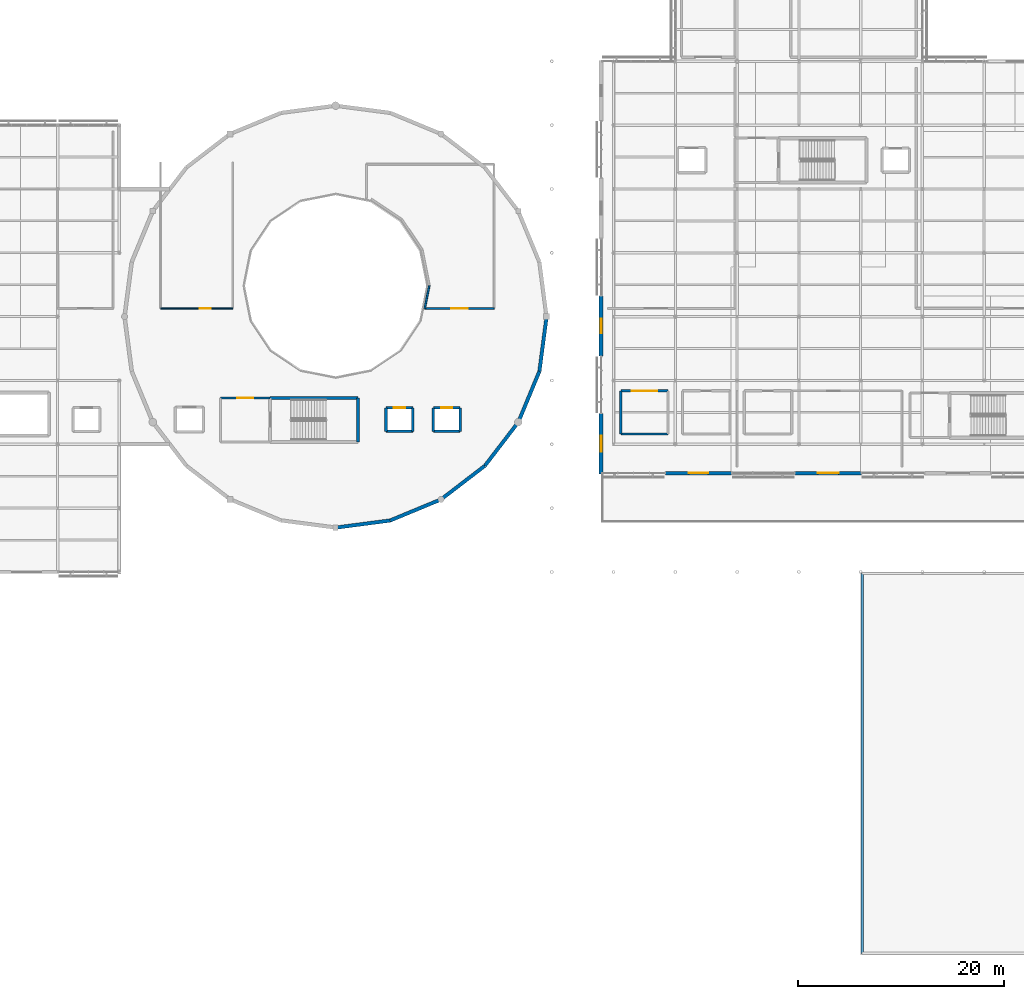
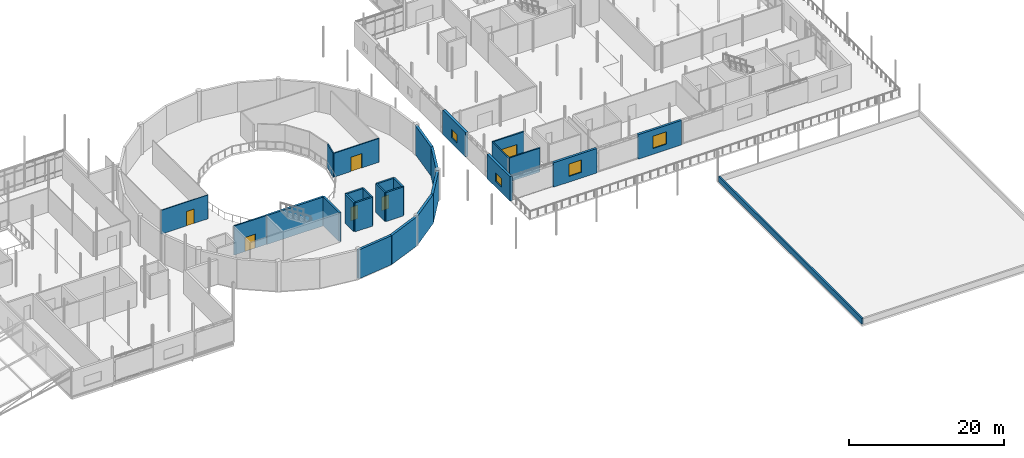
# One storey, part 45 of 66: 28 walls, 6 doors, 4 windows, 10 openings.
"""IFC4 building model written with IfcOpenShell, lengths in metres."""

from ifc_helpers import new_model, si_unit, direction, frame, frame_2d, origin, place, context, subcontext, project, spatial, rectangle, extrude, material, layer, layer_set, type_object, element, fill, save


model = new_model("IFC4")

# Units and contexts
model_context = context("Model", 3, precision=1e-05, world=origin(), true_north=direction((0.0, 1.0)))
body_context = subcontext(model_context, "Body", "Model", "MODEL_VIEW")
ifc_project = project(units=[si_unit("LENGTHUNIT", "METRE"), si_unit("AREAUNIT", "SQUARE_METRE"), si_unit("VOLUMEUNIT", "CUBIC_METRE"), si_unit("PLANEANGLEUNIT", "RADIAN"), si_unit("MASSUNIT", "GRAM", prefix="KILO")], contexts=[model_context])

# Site, building, storey
site_placement = place(None, origin())
site = spatial("IfcSite", under=ifc_project, at=site_placement, CompositionType="ELEMENT")
building_placement = place(site_placement, origin())
building = spatial("IfcBuilding", under=site, at=building_placement, Name="Mirzam Square Science Centre", CompositionType="ELEMENT")
storey_placement = place(building_placement, frame((0.0, 0.0, 15.60009765625)))
storey = spatial("IfcBuildingStorey", under=building, at=storey_placement, Name="L03", CompositionType="ELEMENT", Elevation=15.60009765625)

# Walls
ifc_material_1 = material(Name="Concrete C45/55", Category="concrete")
ifc_layer_1 = layer(ifc_material_1, 0.300048828125)
ifc_layer_set_1 = layer_set([ifc_layer_1], Name="W-CORE-300")
wall_type_1 = type_object("IfcWallType", Name="W-CORE-300", PredefinedType="SHEAR", material=ifc_layer_set_1)
wall_1_placement = place(storey_placement, frame((83.159912109375, 54.090087890625, 0.0), z_axis=(0.0, 0.0, 1.0), x_axis=(-1.0, 0.0, 0.0)))
element("IfcWall", 1, at=wall_1_placement, inside=storey, type_object=wall_type_1, Name="L03 CORE-3 north wall", PredefinedType="SHEAR", context=body_context, shape_type="SweptSolid", body=[
    extrude(rectangle(XDim=8.52001953125, YDim=0.300048828125, at=frame_2d((4.260009765625, 0.0))), origin(), (0.0, 0.0, 1.0), 4.5498046875),
])
wall_2_placement = place(storey_placement, frame((83.159912109375, 49.840087890625, 0.0), z_axis=(0.0, 0.0, 1.0), x_axis=(0.0, 1.0, 0.0)))
element("IfcWall", 2, at=wall_2_placement, inside=storey, type_object=wall_type_1, Name="L03 CORE-3 east wall", PredefinedType="SHEAR", context=body_context, shape_type="SweptSolid", body=[
    extrude(rectangle(XDim=4.25, YDim=0.300048828125, at=frame_2d((2.125, 0.0))), origin(), (0.0, 0.0, 1.0), 4.5498046875),
])
ifc_layer_2 = layer(ifc_material_1, 0.35009765625)
ifc_layer_set_2 = layer_set([ifc_layer_2], Name="W-DRUM-350")
wall_type_2 = type_object("IfcWallType", Name="W-DRUM-350", PredefinedType="SHEAR", material=ifc_layer_set_2)
wall_3_placement = place(storey_placement, frame((81.0, 41.5, 0.0), z_axis=(0.0, 0.0, 1.0), x_axis=(0.991446064069, 0.130517056518, 0.0)))
element("IfcWall", 3, at=wall_3_placement, inside=storey, type_object=wall_type_2, Name="L03 planetarium drum wall 19", PredefinedType="SHEAR", context=body_context, shape_type="SweptSolid", body=[
    extrude(rectangle(XDim=5.351806640625, YDim=0.35009765625, at=frame_2d((2.67578125, 0.0))), origin(), (0.0, 0.0, 1.0), 4.5498046875),
])
for number, where, z_axis, x_axis, name in (
    (4, (86.305908203125, 42.198486328125, 0.0), (0.0, 0.0, 1.0), (0.923867255172, 0.382713071139, 0.0), "L03 planetarium drum wall 20"),
    (5, (91.25, 44.24658203125, 0.0), (0.0, 0.0, 1.0), (0.793349293227, 0.60876670321, 0.0), "L03 planetarium drum wall 21"),
    (6, (95.49560546875, 47.50439453125, 0.0), (0.0, 0.0, 1.0), (0.60876670321, 0.793349293227, 0.0), "L03 planetarium drum wall 22"),
    (7, (98.75341796875, 51.75, 0.0), (0.0, 0.0, 1.0), (0.382713071139, 0.923867255172, 0.0), "L03 planetarium drum wall 23"),
):
    element("IfcWall", number, at=place(storey_placement, frame(where, z_axis=z_axis, x_axis=x_axis)), inside=storey, type_object=wall_type_2, Name=name, PredefinedType="SHEAR", context=body_context, shape_type="SweptSolid", body=[
        extrude(rectangle(XDim=5.3515625, YDim=0.35009765625, at=frame_2d((2.67578125, 0.0))), origin(), (0.0, 0.0, 1.0), 4.5498046875),
    ])
wall_4_placement = place(storey_placement, frame((100.801513671875, 56.694091796875, 0.0), z_axis=(0.0, 0.0, 1.0), x_axis=(0.130517056518, 0.991446064069, 0.0)))
element("IfcWall", 8, at=wall_4_placement, inside=storey, type_object=wall_type_2, Name="L03 planetarium drum wall 24", PredefinedType="SHEAR", context=body_context, shape_type="SweptSolid", body=[
    extrude(rectangle(XDim=5.351806640625, YDim=0.35009765625, at=frame_2d((2.67578125, 0.0))), origin(), (0.0, 0.0, 1.0), 4.5498046875),
])

# Wall, opening, window
ifc_material_2 = material(Name="Insulated Sand-Toned GFRC Concrete C40/50", Category="concrete")
ifc_layer_3 = layer(ifc_material_2, 0.340087890625)
ifc_layer_set_3 = layer_set([ifc_layer_3], Name="W-EXT-GFRC-340")
wall_type_3 = type_object("IfcWallType", Name="W-EXT-GFRC-340", PredefinedType="SOLIDWALL", material=ifc_layer_set_3)
wall_5_placement = place(storey_placement, frame((113.02490234375, 46.800048828125, 0.0), z_axis=(0.0, 0.0, 1.0), x_axis=(1.0, 0.0, 0.0)))
wall_5 = element("IfcWall", 9, at=wall_5_placement, inside=storey, type_object=wall_type_3, Name="L03 external wall EW-EST-S-L03-02", PredefinedType="SOLIDWALL", context=body_context, shape_type="SweptSolid", body=[
    extrude(rectangle(XDim=6.4501953125, YDim=0.340087890625, at=frame_2d((3.22509765625, 0.0))), origin(), (0.0, 0.0, 1.0), 3.83984375),
])
opening_1_placement = place(wall_5_placement, frame((2.300048828125, 0.0, 0.89990234375)))
opening_1 = element("IfcOpeningElement", 10, at=opening_1_placement, cuts=wall_5, Name="Opening W-39", PredefinedType="OPENING", context=body_context, shape_type="SweptSolid", body=[
    extrude(rectangle(XDim=1.85009765625, YDim=1.949951171875, at=frame_2d((0.925048828125, 0.97509765625))), frame((0.0, 0.179931640625, 0.0), z_axis=(0.0, -1.0, 0.0), x_axis=(1.0, 0.0, 0.0)), (0.0, 0.0, 1.0), 0.360107421875),
])
ifc_material_3 = material(Name="Thermally Broken Bronze Aluminium and Low-E Glass", Category="aluminium")
window_type_1 = type_object("IfcWindowType", Name="WIN-1850x1950", PartitioningType="DOUBLE_PANEL_VERTICAL", PredefinedType="WINDOW", material=ifc_material_3)
window_1_placement = place(opening_1_placement, origin())
window_1 = element("IfcWindow", 11, at=window_1_placement, inside=storey, type_object=window_type_1, Name="L03 solar window 083", OverallHeight=1.949951171875, OverallWidth=1.85009765625, PartitioningType="DOUBLE_PANEL_VERTICAL", PredefinedType="WINDOW", context=body_context, shape_type="SweptSolid", body=[
    extrude(rectangle(XDim=1.85009765625, YDim=1.949951171875, at=frame_2d((0.925048828125, 0.97509765625))), frame((0.0, 0.030029296875, 0.0), z_axis=(0.0, -1.0, 0.0), x_axis=(1.0, 0.0, 0.0)), (0.0, 0.0, 1.0), 0.06005859375),
])
fill(opening_1, window_1)

wall_6_placement = place(storey_placement, frame((125.625, 46.800048828125, 0.0), z_axis=(0.0, 0.0, 1.0), x_axis=(1.0, 0.0, 0.0)))
wall_6 = element("IfcWall", 12, at=wall_6_placement, inside=storey, type_object=wall_type_3, Name="L03 external wall EW-EST-S-L03-04", PredefinedType="SOLIDWALL", context=body_context, shape_type="SweptSolid", body=[
    extrude(rectangle(XDim=6.449951171875, YDim=0.340087890625, at=frame_2d((3.22509765625, 0.0))), origin(), (0.0, 0.0, 1.0), 3.83984375),
])
opening_2_placement = place(wall_6_placement, frame((2.22509765625, 0.0, 0.89990234375)))
opening_2 = element("IfcOpeningElement", 13, at=opening_2_placement, cuts=wall_6, Name="Opening W-40", PredefinedType="OPENING", context=body_context, shape_type="SweptSolid", body=[
    extrude(rectangle(XDim=2.0, YDim=1.949951171875, at=frame_2d((1.0, 0.97509765625))), frame((0.0, 0.179931640625, 0.0), z_axis=(0.0, -1.0, 0.0), x_axis=(1.0, 0.0, 0.0)), (0.0, 0.0, 1.0), 0.360107421875),
])
window_type_2 = type_object("IfcWindowType", Name="WIN-2000x1950", PartitioningType="DOUBLE_PANEL_VERTICAL", PredefinedType="WINDOW", material=ifc_material_3)
window_2_placement = place(opening_2_placement, origin())
window_2 = element("IfcWindow", 14, at=window_2_placement, inside=storey, type_object=window_type_2, Name="L03 solar window 084", OverallHeight=1.949951171875, OverallWidth=2.0, PartitioningType="DOUBLE_PANEL_VERTICAL", PredefinedType="WINDOW", context=body_context, shape_type="SweptSolid", body=[
    extrude(rectangle(XDim=2.0, YDim=1.949951171875, at=frame_2d((1.0, 0.97509765625))), frame((0.0, 0.030029296875, 0.0), z_axis=(0.0, -1.0, 0.0), x_axis=(1.0, 0.0, 0.0)), (0.0, 0.0, 1.0), 0.06005859375),
])
fill(opening_2, window_2)

ifc_layer_4 = layer(ifc_material_2, 0.385009765625)
ifc_layer_set_4 = layer_set([ifc_layer_4], Name="W-EXT-GFRC-385")
wall_type_4 = type_object("IfcWallType", Name="W-EXT-GFRC-385", PredefinedType="SOLIDWALL", material=ifc_layer_set_4)
wall_7_placement = place(storey_placement, frame((106.800048828125, 64.017822265625, 0.0), z_axis=(0.0, 0.0, 1.0), x_axis=(0.0, -1.0, 0.0)))
wall_7 = element("IfcWall", 15, at=wall_7_placement, inside=storey, type_object=wall_type_4, Name="L03 external wall EW-EST-W-L03-05", PredefinedType="SOLIDWALL", context=body_context, shape_type="SweptSolid", body=[
    extrude(rectangle(XDim=5.8642578125, YDim=0.385009765625, at=frame_2d((2.93212890625, 0.0))), origin(), (0.0, 0.0, 1.0), 3.83984375),
])
opening_3_placement = place(wall_7_placement, frame((2.232177734375, 0.0, 0.89990234375)))
opening_3 = element("IfcOpeningElement", 16, at=opening_3_placement, cuts=wall_7, Name="Opening W-03", PredefinedType="OPENING", context=body_context, shape_type="SweptSolid", body=[
    extrude(rectangle(XDim=1.39990234375, YDim=1.300048828125, at=frame_2d((0.699951171875, 0.64990234375))), frame((0.0, 0.202392578125, 0.0), z_axis=(0.0, -1.0, 0.0), x_axis=(1.0, 0.0, 0.0)), (0.0, 0.0, 1.0), 0.405029296875),
])
window_type_3 = type_object("IfcWindowType", Name="WIN-1400x1300", PartitioningType="SINGLE_PANEL", PredefinedType="WINDOW", material=ifc_material_3)
window_3_placement = place(opening_3_placement, origin())
window_3 = element("IfcWindow", 17, at=window_3_placement, inside=storey, type_object=window_type_3, Name="L03 solar window 091", OverallHeight=1.300048828125, OverallWidth=1.39990234375, PartitioningType="SINGLE_PANEL", PredefinedType="WINDOW", context=body_context, shape_type="SweptSolid", body=[
    extrude(rectangle(XDim=1.39990234375, YDim=1.300048828125, at=frame_2d((0.699951171875, 0.64990234375))), frame((0.0, 0.030029296875, 0.0), z_axis=(0.0, -1.0, 0.0), x_axis=(1.0, 0.0, 0.0)), (0.0, 0.0, 1.0), 0.06005859375),
])
fill(opening_3, window_3)

wall_8_placement = place(storey_placement, frame((106.800048828125, 52.58935546875, 0.0), z_axis=(0.0, 0.0, 1.0), x_axis=(0.0, -1.0, 0.0)))
wall_8 = element("IfcWall", 18, at=wall_8_placement, inside=storey, type_object=wall_type_4, Name="L03 external wall EW-EST-W-L03-07", PredefinedType="SOLIDWALL", context=body_context, shape_type="SweptSolid", body=[
    extrude(rectangle(XDim=5.8642578125, YDim=0.385009765625, at=frame_2d((2.93212890625, 0.0))), origin(), (0.0, 0.0, 1.0), 3.83984375),
])
opening_4_placement = place(wall_8_placement, frame((2.1572265625, 0.0, 0.89990234375)))
opening_4 = element("IfcOpeningElement", 19, at=opening_4_placement, cuts=wall_8, Name="Opening W-04", PredefinedType="OPENING", context=body_context, shape_type="SweptSolid", body=[
    extrude(rectangle(XDim=1.550048828125, YDim=1.300048828125, at=frame_2d((0.77490234375, 0.64990234375))), frame((0.0, 0.202392578125, 0.0), z_axis=(0.0, -1.0, 0.0), x_axis=(1.0, 0.0, 0.0)), (0.0, 0.0, 1.0), 0.405029296875),
])
window_type_4 = type_object("IfcWindowType", Name="WIN-1550x1300", PartitioningType="SINGLE_PANEL", PredefinedType="WINDOW", material=ifc_material_3)
window_4_placement = place(opening_4_placement, origin())
window_4 = element("IfcWindow", 20, at=window_4_placement, inside=storey, type_object=window_type_4, Name="L03 solar window 092", OverallHeight=1.300048828125, OverallWidth=1.550048828125, PartitioningType="SINGLE_PANEL", PredefinedType="WINDOW", context=body_context, shape_type="SweptSolid", body=[
    extrude(rectangle(XDim=1.550048828125, YDim=1.300048828125, at=frame_2d((0.77490234375, 0.64990234375))), frame((0.0, 0.030029296875, 0.0), z_axis=(0.0, -1.0, 0.0), x_axis=(1.0, 0.0, 0.0)), (0.0, 0.0, 1.0), 0.06005859375),
])
fill(opening_4, window_4)

# Wall, opening, door
ifc_layer_5 = layer(ifc_material_1, 0.199951171875)
ifc_layer_set_5 = layer_set([ifc_layer_5], Name="W-LOBBY-200")
wall_type_5 = type_object("IfcWallType", Name="W-LOBBY-200", PredefinedType="SHEAR", material=ifc_layer_set_5)
wall_9_placement = place(storey_placement, frame((74.639892578125, 54.090087890625, 0.0), z_axis=(0.0, 0.0, 1.0), x_axis=(-1.0, 0.0, 0.0)))
wall_9 = element("IfcWall", 21, at=wall_9_placement, inside=storey, type_object=wall_type_5, Name="L03 CORE-3 lobby north wall", PredefinedType="SHEAR", context=body_context, shape_type="SweptSolid", body=[
    extrude(rectangle(XDim=4.83984375, YDim=0.199951171875, at=frame_2d((2.419921875, 0.0))), origin(), (0.0, 0.0, 1.0), 4.5498046875),
])
opening_5_placement = place(wall_9_placement, frame((1.64501953125, 0.0, 0.0)))
opening_5 = element("IfcOpeningElement", 22, at=opening_5_placement, cuts=wall_9, Name="Opening DL-01", PredefinedType="OPENING", context=body_context, shape_type="SweptSolid", body=[
    extrude(rectangle(XDim=1.550048828125, YDim=2.199951171875, at=frame_2d((0.77490234375, 1.10009765625))), frame((0.0, 0.10986328125, 0.0), z_axis=(0.0, -1.0, 0.0), x_axis=(1.0, 0.0, 0.0)), (0.0, 0.0, 1.0), 0.219970703125),
])
ifc_material_4 = material(Name="Fire-Rated Glazed Architectural Steel Lobby Door", Category="steel")
door_type_1 = type_object("IfcDoorType", Name="DR-LOBBY-1550x2200", OperationType="DOUBLE_DOOR_SINGLE_SWING", PredefinedType="DOOR", material=ifc_material_4)
door_1_placement = place(opening_5_placement, origin())
door_1 = element("IfcDoor", 23, at=door_1_placement, inside=storey, type_object=door_type_1, Name="DRL-3-L03", OperationType="SINGLE_SWING_LEFT", OverallHeight=2.199951171875, OverallWidth=1.550048828125, PredefinedType="DOOR", context=body_context, shape_type="SweptSolid", body=[
    extrude(rectangle(XDim=1.550048828125, YDim=2.199951171875, at=frame_2d((0.77490234375, 1.10009765625))), frame((0.0, 0.02490234375, 0.0), z_axis=(0.0, -1.0, 0.0), x_axis=(1.0, 0.0, 0.0)), (0.0, 0.0, 1.0), 0.050048828125),
])
fill(opening_5, door_1)

# Wall
ifc_material_5 = material(Name="Limestone Coping Parapet Concrete C40/50", Category="masonry")
ifc_layer_6 = layer(ifc_material_5, 0.239990234375)
ifc_layer_set_6 = layer_set([ifc_layer_6], Name="W-PARAPET-240")
wall_type_6 = type_object("IfcWallType", Name="W-PARAPET-240", PredefinedType="PARAPET", material=ifc_layer_set_6)
wall_10_placement = place(storey_placement, frame((132.14990234375, 37.050048828125, 0.0), z_axis=(0.0, 0.0, 1.0), x_axis=(0.0, -1.0, 0.0)))
element("IfcWall", 24, at=wall_10_placement, inside=storey, type_object=wall_type_6, Name="SE-ROOF perimeter parapet 4", PredefinedType="PARAPET", context=body_context, shape_type="SweptSolid", body=[
    extrude(rectangle(XDim=36.900146484375, YDim=0.239990234375, at=frame_2d((18.4501953125, 0.0))), origin(), (0.0, 0.0, 1.0), 0.89990234375),
])

# Wall, opening, door
ifc_material_6 = material(Name="Acoustic Gypsum Stud Partition", Category="gypsum")
ifc_layer_7 = layer(ifc_material_6, 0.1201171875)
ifc_layer_set_7 = layer_set([ifc_layer_7], Name="W-PART-120")
wall_type_7 = type_object("IfcWallType", Name="W-PART-120", PredefinedType="PARTITIONING", material=ifc_layer_set_7)
wall_11_placement = place(storey_placement, frame((71.0, 62.800048828125, 0.0), z_axis=(0.0, 0.0, 1.0), x_axis=(-1.0, 0.0, 0.0)))
wall_11 = element("IfcWall", 25, at=wall_11_placement, inside=storey, type_object=wall_type_7, Name="L03 Orbital Mechanics Exhibition Ring Gallery partition 230", PredefinedType="PARTITIONING", context=body_context, shape_type="SweptSolid", body=[
    extrude(rectangle(XDim=7.0, YDim=0.1201171875, at=frame_2d((3.5, 0.0))), origin(), (0.0, 0.0, 1.0), 3.75),
])
opening_6_placement = place(wall_11_placement, frame((2.110107421875, 0.0, 0.0)))
opening_6 = element("IfcOpeningElement", 26, at=opening_6_placement, cuts=wall_11, Name="Opening D-17", PredefinedType="OPENING", context=body_context, shape_type="SweptSolid", body=[
    extrude(rectangle(XDim=1.10009765625, YDim=2.25, at=frame_2d((0.550048828125, 1.125))), frame((0.0, 0.070068359375, 0.0), z_axis=(0.0, -1.0, 0.0), x_axis=(1.0, 0.0, 0.0)), (0.0, 0.0, 1.0), 0.14013671875),
])
ifc_material_7 = material(Name="Solid Core Acoustic Oak Timber Door", Category="wood")
door_type_2 = type_object("IfcDoorType", Name="DR-INT-1100x2250", OperationType="NOTDEFINED", PredefinedType="DOOR", material=ifc_material_7)
door_2_placement = place(opening_6_placement, origin())
door_2 = element("IfcDoor", 27, at=door_2_placement, inside=storey, type_object=door_type_2, Name="ID-L03-0064", OperationType="SINGLE_SWING_LEFT", OverallHeight=2.25, OverallWidth=1.10009765625, PredefinedType="DOOR", context=body_context, shape_type="SweptSolid", body=[
    extrude(rectangle(XDim=1.10009765625, YDim=2.25, at=frame_2d((0.550048828125, 1.125))), frame((0.0, 0.02490234375, 0.0), z_axis=(0.0, -1.0, 0.0), x_axis=(1.0, 0.0, 0.0)), (0.0, 0.0, 1.0), 0.050048828125),
])
fill(opening_6, door_2)

ifc_material_8 = material(Name="Wet-Area Moisture-Resistant Partition", Category="gypsum")
ifc_layer_8 = layer(ifc_material_8, 0.1650390625)
ifc_layer_set_8 = layer_set([ifc_layer_8], Name="W-PART-165")
wall_type_8 = type_object("IfcWallType", Name="W-PART-165", PredefinedType="PARTITIONING", material=ifc_layer_set_8)
wall_12_placement = place(storey_placement, frame((96.39990234375, 62.800048828125, 0.0), z_axis=(0.0, 0.0, 1.0), x_axis=(-1.0, 0.0, 0.0)))
wall_12 = element("IfcWall", 28, at=wall_12_placement, inside=storey, type_object=wall_type_8, Name="L03 Planetarium Dome Projection and Audio Control Studio partition 242", PredefinedType="PARTITIONING", context=body_context, shape_type="SweptSolid", body=[
    extrude(rectangle(XDim=6.737548828125, YDim=0.1650390625, at=frame_2d((3.36865234375, 0.0))), origin(), (0.0, 0.0, 1.0), 3.75),
])
opening_7_placement = place(wall_12_placement, frame((2.56884765625, 0.0, 0.0)))
opening_7 = element("IfcOpeningElement", 29, at=opening_7_placement, cuts=wall_12, Name="Opening D-20", PredefinedType="OPENING", context=body_context, shape_type="SweptSolid", body=[
    extrude(rectangle(XDim=1.60009765625, YDim=2.25, at=frame_2d((0.800048828125, 1.125))), frame((0.0, 0.092529296875, 0.0), z_axis=(0.0, -1.0, 0.0), x_axis=(1.0, 0.0, 0.0)), (0.0, 0.0, 1.0), 0.18505859375),
])
door_type_3 = type_object("IfcDoorType", Name="DR-INT-1600x2250", OperationType="DOUBLE_DOOR_SINGLE_SWING", PredefinedType="DOOR", material=ifc_material_7)
door_3_placement = place(opening_7_placement, origin())
door_3 = element("IfcDoor", 30, at=door_3_placement, inside=storey, type_object=door_type_3, Name="ID-L03-0067", OperationType="DOUBLE_DOOR_SINGLE_SWING", OverallHeight=2.25, OverallWidth=1.60009765625, PredefinedType="DOOR", context=body_context, shape_type="SweptSolid", body=[
    extrude(rectangle(XDim=1.60009765625, YDim=2.25, at=frame_2d((0.800048828125, 1.125))), frame((0.0, 0.02490234375, 0.0), z_axis=(0.0, -1.0, 0.0), x_axis=(1.0, 0.0, 0.0)), (0.0, 0.0, 1.0), 0.050048828125),
])
fill(opening_7, door_3)

# Wall
wall_13_placement = place(storey_placement, frame((89.662353515625, 62.800048828125, 0.0), z_axis=(0.0, 0.0, 1.0), x_axis=(0.195153209968, 0.980772769116, 0.0)))
element("IfcWall", 31, at=wall_13_placement, inside=storey, type_object=wall_type_8, Name="L03 Planetarium Dome Projection and Audio Control Studio partition 243", PredefinedType="PARTITIONING", context=body_context, shape_type="SweptSolid", body=[
    extrude(rectangle(XDim=2.2431640625, YDim=0.1650390625, at=frame_2d((1.12158203125, 0.0))), origin(), (0.0, 0.0, 1.0), 3.75),
])

# Wall, opening, door
ifc_material_9 = material(Name="Fire-Rated Corridor Blockwork Concrete C30/37", Category="masonry")
ifc_layer_9 = layer(ifc_material_9, 0.199951171875)
ifc_layer_set_9 = layer_set([ifc_layer_9], Name="W-PART-200")
wall_type_9 = type_object("IfcWallType", Name="W-PART-200", PredefinedType="PARTITIONING", material=ifc_layer_set_9)
wall_14_placement = place(storey_placement, frame((108.699951171875, 54.800048828125, 0.0), z_axis=(0.0, 0.0, 1.0), x_axis=(1.0, 0.0, 0.0)))
wall_14 = element("IfcWall", 32, at=wall_14_placement, inside=storey, type_object=wall_type_9, Name="L03 Male WC L03 partition 213", PredefinedType="PARTITIONING", context=body_context, shape_type="SweptSolid", body=[
    extrude(rectangle(XDim=4.60009765625, YDim=0.199951171875, at=frame_2d((2.300048828125, 0.0))), origin(), (0.0, 0.0, 1.0), 3.75),
])
opening_8_placement = place(wall_14_placement, frame((1.050048828125, 0.0, 0.0)))
opening_8 = element("IfcOpeningElement", 33, at=opening_8_placement, cuts=wall_14, Name="Opening D-12", PredefinedType="OPENING", context=body_context, shape_type="SweptSolid", body=[
    extrude(rectangle(XDim=2.5, YDim=2.10009765625, at=frame_2d((1.25, 1.050048828125))), frame((0.0, 0.10986328125, 0.0), z_axis=(0.0, -1.0, 0.0), x_axis=(1.0, 0.0, 0.0)), (0.0, 0.0, 1.0), 0.219970703125),
])
ifc_material_10 = material(Name="Powder-Coated Architectural Steel Acoustic Door", Category="steel")
door_type_4 = type_object("IfcDoorType", Name="DR-INT-2500x2100", OperationType="DOUBLE_DOOR_SINGLE_SWING", PredefinedType="DOOR", material=ifc_material_10)
door_4_placement = place(opening_8_placement, origin())
door_4 = element("IfcDoor", 34, at=door_4_placement, inside=storey, type_object=door_type_4, Name="ID-L03-0059", OperationType="DOUBLE_DOOR_SINGLE_SWING", OverallHeight=2.10009765625, OverallWidth=2.5, PredefinedType="DOOR", context=body_context, shape_type="SweptSolid", body=[
    extrude(rectangle(XDim=2.5, YDim=2.10009765625, at=frame_2d((1.25, 1.050048828125))), frame((0.0, 0.02490234375, 0.0), z_axis=(0.0, -1.0, 0.0), x_axis=(1.0, 0.0, 0.0)), (0.0, 0.0, 1.0), 0.050048828125),
])
fill(opening_8, door_4)

# Walls
wall_15_placement = place(storey_placement, frame((113.300048828125, 50.60009765625, 0.0), z_axis=(0.0, 0.0, 1.0), x_axis=(-1.0, 0.0, 0.0)))
element("IfcWall", 35, at=wall_15_placement, inside=storey, type_object=wall_type_9, Name="L03 Male WC L03 partition 215", PredefinedType="PARTITIONING", context=body_context, shape_type="SweptSolid", body=[
    extrude(rectangle(XDim=4.60009765625, YDim=0.199951171875, at=frame_2d((2.300048828125, 0.0))), origin(), (0.0, 0.0, 1.0), 3.75),
])
wall_16_placement = place(storey_placement, frame((108.699951171875, 50.60009765625, 0.0), z_axis=(0.0, 0.0, 1.0), x_axis=(0.0, 1.0, 0.0)))
element("IfcWall", 36, at=wall_16_placement, inside=storey, type_object=wall_type_9, Name="L03 Male WC L03 partition 216", PredefinedType="PARTITIONING", context=body_context, shape_type="SweptSolid", body=[
    extrude(rectangle(XDim=4.199951171875, YDim=0.199951171875, at=frame_2d((2.10009765625, 0.0))), origin(), (0.0, 0.0, 1.0), 3.75),
])
ifc_layer_10 = layer(ifc_material_1, 0.25)
ifc_layer_set_10 = layer_set([ifc_layer_10], Name="W-SHAFT-250")
wall_type_10 = type_object("IfcWallType", Name="W-SHAFT-250", PredefinedType="SHEAR", material=ifc_layer_set_10)
wall_17_placement = place(storey_placement, frame((85.89990234375, 50.85009765625, 0.0), z_axis=(0.0, 0.0, 1.0), x_axis=(1.0, 0.0, 0.0)))
element("IfcWall", 37, at=wall_17_placement, inside=storey, type_object=wall_type_10, Name="L03 lift LP-01 shaft wall S", PredefinedType="SHEAR", context=body_context, shape_type="SweptSolid", body=[
    extrude(rectangle(XDim=2.60009765625, YDim=0.25, at=frame_2d((1.300048828125, 0.0))), origin(), (0.0, 0.0, 1.0), 4.5498046875),
])

# Wall, opening, door
wall_18_placement = place(storey_placement, frame((88.5, 53.14990234375, 0.0), z_axis=(0.0, 0.0, 1.0), x_axis=(-1.0, 0.0, 0.0)))
wall_18 = element("IfcWall", 38, at=wall_18_placement, inside=storey, type_object=wall_type_10, Name="L03 lift LP-01 shaft wall N", PredefinedType="SHEAR", context=body_context, shape_type="SweptSolid", body=[
    extrude(rectangle(XDim=2.60009765625, YDim=0.25, at=frame_2d((1.300048828125, 0.0))), origin(), (0.0, 0.0, 1.0), 4.5498046875),
])
opening_9_placement = place(wall_18_placement, frame((0.75, 0.0, 0.0)))
opening_9 = element("IfcOpeningElement", 39, at=opening_9_placement, cuts=wall_18, Name="Opening LD-01", PredefinedType="OPENING", context=body_context, shape_type="SweptSolid", body=[
    extrude(rectangle(XDim=1.10009765625, YDim=2.14990234375, at=frame_2d((0.550048828125, 1.074951171875))), frame((0.0, 0.135009765625, 0.0), z_axis=(0.0, -1.0, 0.0), x_axis=(1.0, 0.0, 0.0)), (0.0, 0.0, 1.0), 0.27001953125),
])
ifc_material_11 = material(Name="Brushed Stainless Steel 316L Sliding Lift Door", Category="steel")
door_type_5 = type_object("IfcDoorType", Name="LD-PASS-1100x2150", OperationType="DOUBLE_DOOR_SLIDING", PredefinedType="DOOR", material=ifc_material_11)
door_5_placement = place(opening_9_placement, origin())
door_5 = element("IfcDoor", 40, at=door_5_placement, inside=storey, type_object=door_type_5, Name="LD-LP-01-L03", OperationType="DOUBLE_DOOR_SLIDING", OverallHeight=2.14990234375, OverallWidth=1.10009765625, PredefinedType="DOOR", context=body_context, shape_type="SweptSolid", body=[
    extrude(rectangle(XDim=1.10009765625, YDim=2.14990234375, at=frame_2d((0.550048828125, 1.074951171875))), frame((0.0, 0.02490234375, 0.0), z_axis=(0.0, -1.0, 0.0), x_axis=(1.0, 0.0, 0.0)), (0.0, 0.0, 1.0), 0.050048828125),
])
fill(opening_9, door_5)

# Walls
for number, where, z_axis, x_axis, name in (
    (41, (85.89990234375, 53.14990234375, 0.0), (0.0, 0.0, 1.0), (0.0, -1.0, 0.0), "L03 lift LP-01 shaft wall W"),
    (42, (88.5, 50.85009765625, 0.0), (0.0, 0.0, 1.0), (0.0, 1.0, 0.0), "L03 lift LP-01 shaft wall E"),
):
    element("IfcWall", number, at=place(storey_placement, frame(where, z_axis=z_axis, x_axis=x_axis)), inside=storey, type_object=wall_type_10, Name=name, PredefinedType="SHEAR", context=body_context, shape_type="SweptSolid", body=[
        extrude(rectangle(XDim=2.2998046875, YDim=0.25, at=frame_2d((1.14990234375, 0.0))), origin(), (0.0, 0.0, 1.0), 4.5498046875),
    ])
wall_19_placement = place(storey_placement, frame((90.5, 50.85009765625, 0.0), z_axis=(0.0, 0.0, 1.0), x_axis=(1.0, 0.0, 0.0)))
element("IfcWall", 43, at=wall_19_placement, inside=storey, type_object=wall_type_10, Name="L03 lift LP-02 shaft wall S", PredefinedType="SHEAR", context=body_context, shape_type="SweptSolid", body=[
    extrude(rectangle(XDim=2.60009765625, YDim=0.25, at=frame_2d((1.300048828125, 0.0))), origin(), (0.0, 0.0, 1.0), 4.5498046875),
])

# Wall, opening, door
wall_20_placement = place(storey_placement, frame((93.10009765625, 53.14990234375, 0.0), z_axis=(0.0, 0.0, 1.0), x_axis=(-1.0, 0.0, 0.0)))
wall_20 = element("IfcWall", 44, at=wall_20_placement, inside=storey, type_object=wall_type_10, Name="L03 lift LP-02 shaft wall N", PredefinedType="SHEAR", context=body_context, shape_type="SweptSolid", body=[
    extrude(rectangle(XDim=2.60009765625, YDim=0.25, at=frame_2d((1.300048828125, 0.0))), origin(), (0.0, 0.0, 1.0), 4.5498046875),
])
opening_10_placement = place(wall_20_placement, frame((0.75, 0.0, 0.0)))
opening_10 = element("IfcOpeningElement", 45, at=opening_10_placement, cuts=wall_20, Name="Opening LD-01", PredefinedType="OPENING", context=body_context, shape_type="SweptSolid", body=[
    extrude(rectangle(XDim=1.10009765625, YDim=2.14990234375, at=frame_2d((0.550048828125, 1.074951171875))), frame((0.0, 0.135009765625, 0.0), z_axis=(0.0, -1.0, 0.0), x_axis=(1.0, 0.0, 0.0)), (0.0, 0.0, 1.0), 0.27001953125),
])
door_6_placement = place(opening_10_placement, origin())
door_6 = element("IfcDoor", 46, at=door_6_placement, inside=storey, type_object=door_type_5, Name="LD-LP-02-L03", OperationType="DOUBLE_DOOR_SLIDING", OverallHeight=2.14990234375, OverallWidth=1.10009765625, PredefinedType="DOOR", context=body_context, shape_type="SweptSolid", body=[
    extrude(rectangle(XDim=1.10009765625, YDim=2.14990234375, at=frame_2d((0.550048828125, 1.074951171875))), frame((0.0, 0.02490234375, 0.0), z_axis=(0.0, -1.0, 0.0), x_axis=(1.0, 0.0, 0.0)), (0.0, 0.0, 1.0), 0.050048828125),
])
fill(opening_10, door_6)

# Walls
for number, where, z_axis, x_axis, name in (
    (47, (90.5, 53.14990234375, 0.0), (0.0, 0.0, 1.0), (0.0, -1.0, 0.0), "L03 lift LP-02 shaft wall W"),
    (48, (93.10009765625, 50.85009765625, 0.0), (0.0, 0.0, 1.0), (0.0, 1.0, 0.0), "L03 lift LP-02 shaft wall E"),
):
    element("IfcWall", number, at=place(storey_placement, frame(where, z_axis=z_axis, x_axis=x_axis)), inside=storey, type_object=wall_type_10, Name=name, PredefinedType="SHEAR", context=body_context, shape_type="SweptSolid", body=[
        extrude(rectangle(XDim=2.2998046875, YDim=0.25, at=frame_2d((1.14990234375, 0.0))), origin(), (0.0, 0.0, 1.0), 4.5498046875),
    ])

save(model, "model.ifc")
